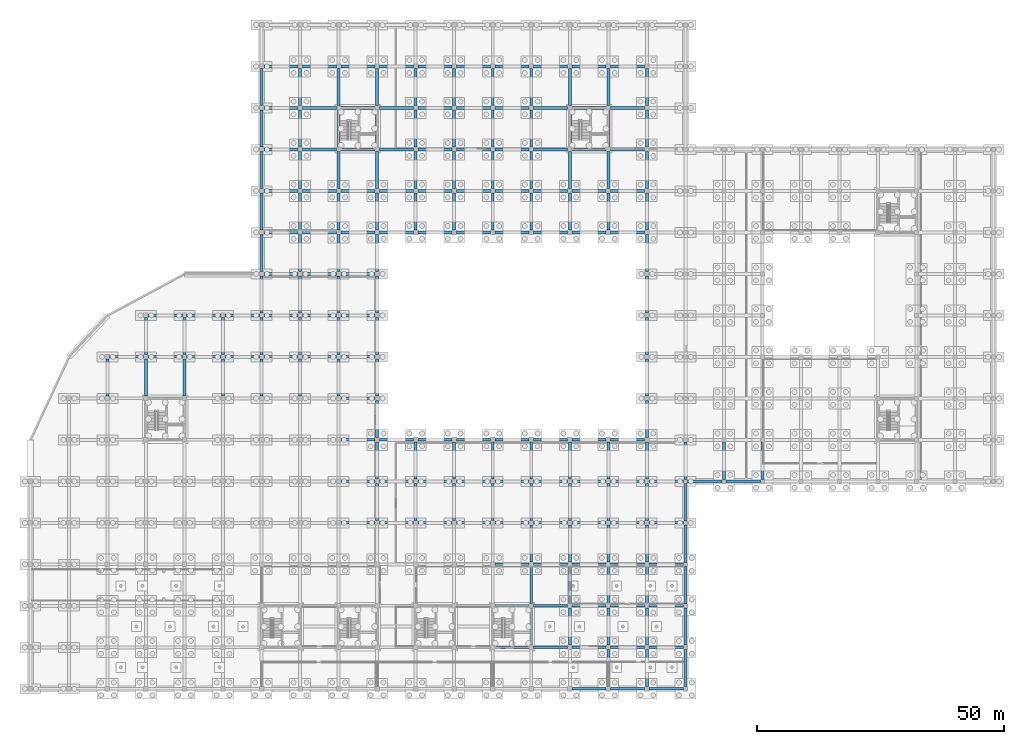
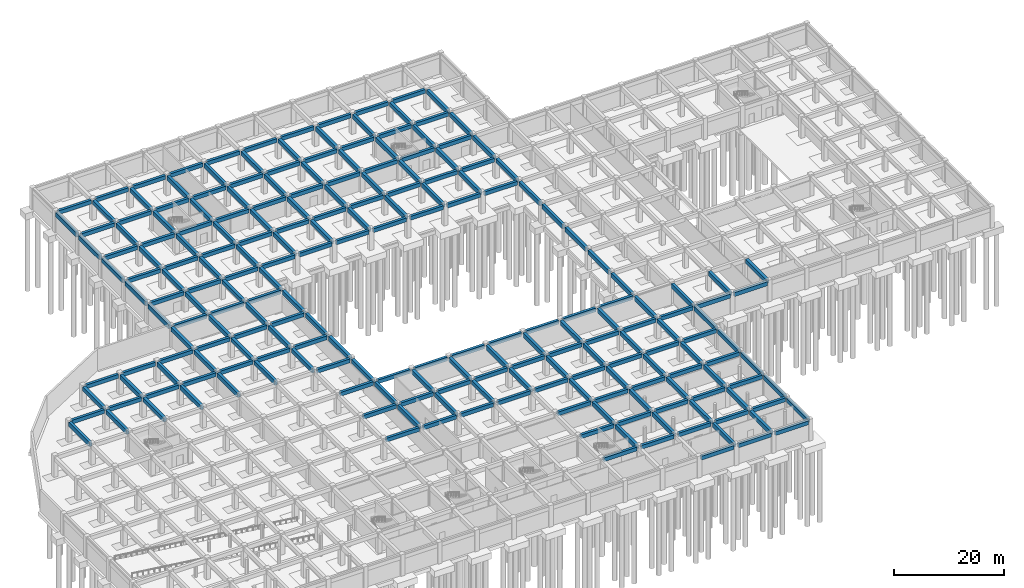
# One storey, part 14 of 31: 224 beams.
"""IFC4 building model written with IfcOpenShell, lengths in metres."""

from ifc_helpers import new_model, si_unit, direction, frame, origin, origin_2d, place, context, subcontext, project, spatial, rectangle, extrude, material, material_profile, profile_set, type_object, element, save


model = new_model("IFC4")

# Units and contexts
model_context = context("Model", 3, precision=1e-05, world=origin(), true_north=direction((0.0, 1.0)))
body_context = subcontext(model_context, "Body", "Model", "MODEL_VIEW")
ifc_project = project(units=[si_unit("LENGTHUNIT", "METRE"), si_unit("AREAUNIT", "SQUARE_METRE"), si_unit("VOLUMEUNIT", "CUBIC_METRE"), si_unit("PLANEANGLEUNIT", "RADIAN"), si_unit("MASSUNIT", "GRAM", prefix="KILO")], contexts=[model_context])

# Site, building, storey
site_placement = place(None, origin())
site = spatial("IfcSite", under=ifc_project, at=site_placement, CompositionType="ELEMENT")
building_placement = place(site_placement, origin())
building = spatial("IfcBuilding", under=site, at=building_placement, Name="Zizhar Promenade General Hospital", CompositionType="ELEMENT")
storey_placement = place(building_placement, frame((0.0, 0.0, -4.800048828125)))
storey = spatial("IfcBuildingStorey", under=building, at=storey_placement, Name="B1", CompositionType="ELEMENT", Elevation=-4.800048828125)

# Beams
ifc_material_1 = material(Name="Concrete C35/45", Category="concrete")
ifc_material_profile_1 = material_profile(ifc_material_1, rectangle(XDim=0.550048828125, YDim=0.85009765625, at=origin_2d()))
ifc_profile_set_1 = profile_set([ifc_material_profile_1], Name="Concrete C35/45")
beam_type_1 = type_object("IfcBeamType", Name="BM-RC-550x850", PredefinedType="BEAM", material=ifc_profile_set_1)
for number, where, z_axis, x_axis, name in (
    (1, (16.050048828125, 67.199951171875, 4.045166015625), (1.0, 0.0, 0.0), (0.0, 1.0, 0.0), "Grid Beam X B1 (2-8)"),
    (2, (23.85009765625, 67.199951171875, 4.045166015625), (1.0, 0.0, 0.0), (0.0, 1.0, 0.0), "Grid Beam X B1 (3-8)"),
    (3, (23.85009765625, 75.60009765625, 4.045166015625), (1.0, 0.0, 0.0), (0.0, 1.0, 0.0), "Grid Beam X B1 (3-9)"),
):
    element("IfcBeam", number, at=place(storey_placement, frame(where, z_axis=z_axis, x_axis=x_axis)), inside=storey, type_object=beam_type_1, Name=name, PredefinedType="BEAM", context=body_context, shape_type="SweptSolid", body=[
        extrude(rectangle(XDim=0.550048828125, YDim=0.85009765625, at=origin_2d()), origin(), (0.0, 0.0, 1.0), 6.89990234375),
    ])
for number, where, z_axis, x_axis, name in (
    (4, (31.64990234375, 67.199951171875, 4.045166015625), (1.0, 0.0, 0.0), (0.0, 1.0, 0.0), "Grid Beam X B1 (4-8)"),
    (5, (31.64990234375, 75.60009765625, 4.045166015625), (1.0, 0.0, 0.0), (0.0, 1.0, 0.0), "Grid Beam X B1 (4-9)"),
    (6, (39.449951171875, 67.199951171875, 4.045166015625), (1.0, 0.0, 0.0), (0.0, 1.0, 0.0), "Grid Beam X B1 (5-8)"),
    (7, (39.449951171875, 75.60009765625, 4.045166015625), (1.0, 0.0, 0.0), (0.0, 1.0, 0.0), "Grid Beam X B1 (5-9)"),
):
    element("IfcBeam", number, at=place(storey_placement, frame(where, z_axis=z_axis, x_axis=x_axis)), inside=storey, type_object=beam_type_1, Name=name, PredefinedType="BEAM", context=body_context, shape_type="SweptSolid", body=[
        extrude(rectangle(XDim=0.550048828125, YDim=0.85009765625, at=origin_2d()), origin(), (0.0, 0.0, 1.0), 6.900146484375),
    ])
for number, where, z_axis, x_axis, name in (
    (8, (47.25, 67.199951171875, 4.045166015625), (1.0, 0.0, 0.0), (0.0, 1.0, 0.0), "Grid Beam X B1 (6-8)"),
    (9, (47.25, 75.60009765625, 4.045166015625), (1.0, 0.0, 0.0), (0.0, 1.0, 0.0), "Grid Beam X B1 (6-9)"),
    (10, (47.25, 84.0, 4.045166015625), (1.0, 0.0, 0.0), (0.0, 1.0, 0.0), "Grid Beam X B1 (6-10)"),
    (11, (47.25, 92.39990234375, 4.045166015625), (1.0, 0.0, 0.0), (0.0, 1.0, 0.0), "Grid Beam X B1 (6-11)"),
    (12, (47.25, 100.800048828125, 4.045166015625), (1.0, 0.0, 0.0), (0.0, 1.0, 0.0), "Grid Beam X B1 (6-12)"),
    (13, (47.25, 109.199951171875, 4.045166015625), (1.0, 0.0, 0.0), (0.0, 1.0, 0.0), "Grid Beam X B1 (6-13)"),
    (14, (47.25, 117.60009765625, 4.045166015625), (1.0, 0.0, 0.0), (0.0, 1.0, 0.0), "Grid Beam X B1 (6-14)"),
    (15, (47.25, 126.0, 4.045166015625), (1.0, 0.0, 0.0), (0.0, 1.0, 0.0), "Grid Beam X B1 (6-15)"),
    (16, (55.050048828125, 67.199951171875, 4.045166015625), (1.0, 0.0, 0.0), (0.0, 1.0, 0.0), "Grid Beam X B1 (7-8)"),
    (17, (55.050048828125, 75.60009765625, 4.045166015625), (1.0, 0.0, 0.0), (0.0, 1.0, 0.0), "Grid Beam X B1 (7-9)"),
    (18, (55.050048828125, 84.0, 4.045166015625), (1.0, 0.0, 0.0), (0.0, 1.0, 0.0), "Grid Beam X B1 (7-10)"),
    (19, (55.050048828125, 92.39990234375, 4.045166015625), (1.0, 0.0, 0.0), (0.0, 1.0, 0.0), "Grid Beam X B1 (7-11)"),
    (20, (55.050048828125, 100.800048828125, 4.045166015625), (1.0, 0.0, 0.0), (0.0, 1.0, 0.0), "Grid Beam X B1 (7-12)"),
    (21, (55.050048828125, 109.199951171875, 4.045166015625), (1.0, 0.0, 0.0), (0.0, 1.0, 0.0), "Grid Beam X B1 (7-13)"),
    (22, (55.050048828125, 117.60009765625, 4.045166015625), (1.0, 0.0, 0.0), (0.0, 1.0, 0.0), "Grid Beam X B1 (7-14)"),
    (23, (55.050048828125, 126.0, 4.045166015625), (1.0, 0.0, 0.0), (0.0, 1.0, 0.0), "Grid Beam X B1 (7-15)"),
    (24, (62.85009765625, 33.60009765625, 4.045166015625), (1.0, 0.0, 0.0), (0.0, 1.0, 0.0), "Grid Beam X B1 (8-4)"),
    (25, (62.85009765625, 42.0, 4.045166015625), (1.0, 0.0, 0.0), (0.0, 1.0, 0.0), "Grid Beam X B1 (8-5)"),
    (26, (62.85009765625, 50.39990234375, 4.045166015625), (1.0, 0.0, 0.0), (0.0, 1.0, 0.0), "Grid Beam X B1 (8-6)"),
    (27, (62.85009765625, 58.800048828125, 4.045166015625), (1.0, 0.0, 0.0), (0.0, 1.0, 0.0), "Grid Beam X B1 (8-7)"),
    (28, (62.85009765625, 67.199951171875, 4.045166015625), (1.0, 0.0, 0.0), (0.0, 1.0, 0.0), "Grid Beam X B1 (8-8)"),
    (29, (62.85009765625, 75.60009765625, 4.045166015625), (1.0, 0.0, 0.0), (0.0, 1.0, 0.0), "Grid Beam X B1 (8-9)"),
    (30, (62.85009765625, 84.0, 4.045166015625), (1.0, 0.0, 0.0), (0.0, 1.0, 0.0), "Grid Beam X B1 (8-10)"),
    (31, (62.85009765625, 92.39990234375, 4.045166015625), (1.0, 0.0, 0.0), (0.0, 1.0, 0.0), "Grid Beam X B1 (8-11)"),
    (32, (62.85009765625, 100.800048828125, 4.045166015625), (1.0, 0.0, 0.0), (0.0, 1.0, 0.0), "Grid Beam X B1 (8-12)"),
    (33, (62.85009765625, 109.199951171875, 4.045166015625), (1.0, 0.0, 0.0), (0.0, 1.0, 0.0), "Grid Beam X B1 (8-13)"),
    (34, (62.85009765625, 117.60009765625, 4.045166015625), (1.0, 0.0, 0.0), (0.0, 1.0, 0.0), "Grid Beam X B1 (8-14)"),
    (35, (62.85009765625, 126.0, 4.045166015625), (1.0, 0.0, 0.0), (0.0, 1.0, 0.0), "Grid Beam X B1 (8-15)"),
):
    element("IfcBeam", number, at=place(storey_placement, frame(where, z_axis=z_axis, x_axis=x_axis)), inside=storey, type_object=beam_type_1, Name=name, PredefinedType="BEAM", context=body_context, shape_type="SweptSolid", body=[
        extrude(rectangle(XDim=0.550048828125, YDim=0.85009765625, at=origin_2d()), origin(), (0.0, 0.0, 1.0), 6.89990234375),
    ])
for number, where, z_axis, x_axis, name in (
    (36, (70.64990234375, 33.60009765625, 4.045166015625), (1.0, 0.0, 0.0), (0.0, 1.0, 0.0), "Grid Beam X B1 (9-4)"),
    (37, (70.64990234375, 42.0, 4.045166015625), (1.0, 0.0, 0.0), (0.0, 1.0, 0.0), "Grid Beam X B1 (9-5)"),
    (38, (70.64990234375, 50.39990234375, 4.045166015625), (1.0, 0.0, 0.0), (0.0, 1.0, 0.0), "Grid Beam X B1 (9-6)"),
    (39, (70.64990234375, 92.39990234375, 4.045166015625), (1.0, 0.0, 0.0), (0.0, 1.0, 0.0), "Grid Beam X B1 (9-11)"),
    (40, (70.64990234375, 100.800048828125, 4.045166015625), (1.0, 0.0, 0.0), (0.0, 1.0, 0.0), "Grid Beam X B1 (9-12)"),
    (41, (70.64990234375, 109.199951171875, 4.045166015625), (1.0, 0.0, 0.0), (0.0, 1.0, 0.0), "Grid Beam X B1 (9-13)"),
    (42, (70.64990234375, 117.60009765625, 4.045166015625), (1.0, 0.0, 0.0), (0.0, 1.0, 0.0), "Grid Beam X B1 (9-14)"),
    (43, (70.64990234375, 126.0, 4.045166015625), (1.0, 0.0, 0.0), (0.0, 1.0, 0.0), "Grid Beam X B1 (9-15)"),
    (44, (78.449951171875, 33.60009765625, 4.045166015625), (1.0, 0.0, 0.0), (0.0, 1.0, 0.0), "Grid Beam X B1 (10-4)"),
    (45, (78.449951171875, 42.0, 4.045166015625), (1.0, 0.0, 0.0), (0.0, 1.0, 0.0), "Grid Beam X B1 (10-5)"),
    (46, (78.449951171875, 50.39990234375, 4.045166015625), (1.0, 0.0, 0.0), (0.0, 1.0, 0.0), "Grid Beam X B1 (10-6)"),
    (47, (78.449951171875, 92.39990234375, 4.045166015625), (1.0, 0.0, 0.0), (0.0, 1.0, 0.0), "Grid Beam X B1 (10-11)"),
    (48, (78.449951171875, 100.800048828125, 4.045166015625), (1.0, 0.0, 0.0), (0.0, 1.0, 0.0), "Grid Beam X B1 (10-12)"),
    (49, (78.449951171875, 109.199951171875, 4.045166015625), (1.0, 0.0, 0.0), (0.0, 1.0, 0.0), "Grid Beam X B1 (10-13)"),
    (50, (78.449951171875, 117.60009765625, 4.045166015625), (1.0, 0.0, 0.0), (0.0, 1.0, 0.0), "Grid Beam X B1 (10-14)"),
    (51, (78.449951171875, 126.0, 4.045166015625), (1.0, 0.0, 0.0), (0.0, 1.0, 0.0), "Grid Beam X B1 (10-15)"),
):
    element("IfcBeam", number, at=place(storey_placement, frame(where, z_axis=z_axis, x_axis=x_axis)), inside=storey, type_object=beam_type_1, Name=name, PredefinedType="BEAM", context=body_context, shape_type="SweptSolid", body=[
        extrude(rectangle(XDim=0.550048828125, YDim=0.85009765625, at=origin_2d()), origin(), (0.0, 0.0, 1.0), 6.900146484375),
    ])
for number, where, z_axis, x_axis, name in (
    (52, (86.25, 33.60009765625, 4.045166015625), (1.0, 0.0, 0.0), (0.0, 1.0, 0.0), "Grid Beam X B1 (11-4)"),
    (53, (86.25, 42.0, 4.045166015625), (1.0, 0.0, 0.0), (0.0, 1.0, 0.0), "Grid Beam X B1 (11-5)"),
    (54, (86.25, 50.39990234375, 4.045166015625), (1.0, 0.0, 0.0), (0.0, 1.0, 0.0), "Grid Beam X B1 (11-6)"),
    (55, (86.25, 92.39990234375, 4.045166015625), (1.0, 0.0, 0.0), (0.0, 1.0, 0.0), "Grid Beam X B1 (11-11)"),
    (56, (86.25, 100.800048828125, 4.045166015625), (1.0, 0.0, 0.0), (0.0, 1.0, 0.0), "Grid Beam X B1 (11-12)"),
    (57, (86.25, 109.199951171875, 4.045166015625), (1.0, 0.0, 0.0), (0.0, 1.0, 0.0), "Grid Beam X B1 (11-13)"),
    (58, (86.25, 117.60009765625, 4.045166015625), (1.0, 0.0, 0.0), (0.0, 1.0, 0.0), "Grid Beam X B1 (11-14)"),
    (59, (86.25, 126.0, 4.045166015625), (1.0, 0.0, 0.0), (0.0, 1.0, 0.0), "Grid Beam X B1 (11-15)"),
    (60, (94.050048828125, 8.39990234375, 4.045166015625), (1.0, 0.0, 0.0), (0.0, 1.0, 0.0), "Grid Beam X B1 (12-1)"),
    (61, (94.050048828125, 16.800048828125, 4.045166015625), (1.0, 0.0, 0.0), (0.0, 1.0, 0.0), "Grid Beam X B1 (12-2)"),
    (62, (94.050048828125, 25.199951171875, 4.045166015625), (1.0, 0.0, 0.0), (0.0, 1.0, 0.0), "Grid Beam X B1 (12-3)"),
    (63, (94.050048828125, 33.60009765625, 4.045166015625), (1.0, 0.0, 0.0), (0.0, 1.0, 0.0), "Grid Beam X B1 (12-4)"),
    (64, (94.050048828125, 42.0, 4.045166015625), (1.0, 0.0, 0.0), (0.0, 1.0, 0.0), "Grid Beam X B1 (12-5)"),
    (65, (94.050048828125, 50.39990234375, 4.045166015625), (1.0, 0.0, 0.0), (0.0, 1.0, 0.0), "Grid Beam X B1 (12-6)"),
    (66, (94.050048828125, 92.39990234375, 4.045166015625), (1.0, 0.0, 0.0), (0.0, 1.0, 0.0), "Grid Beam X B1 (12-11)"),
    (67, (94.050048828125, 100.800048828125, 4.045166015625), (1.0, 0.0, 0.0), (0.0, 1.0, 0.0), "Grid Beam X B1 (12-12)"),
    (68, (94.050048828125, 109.199951171875, 4.045166015625), (1.0, 0.0, 0.0), (0.0, 1.0, 0.0), "Grid Beam X B1 (12-13)"),
    (69, (94.050048828125, 117.60009765625, 4.045166015625), (1.0, 0.0, 0.0), (0.0, 1.0, 0.0), "Grid Beam X B1 (12-14)"),
    (70, (94.050048828125, 126.0, 4.045166015625), (1.0, 0.0, 0.0), (0.0, 1.0, 0.0), "Grid Beam X B1 (12-15)"),
    (71, (101.85009765625, 8.39990234375, 4.045166015625), (1.0, 0.0, 0.0), (0.0, 1.0, 0.0), "Grid Beam X B1 (13-1)"),
    (72, (101.85009765625, 16.800048828125, 4.045166015625), (1.0, 0.0, 0.0), (0.0, 1.0, 0.0), "Grid Beam X B1 (13-2)"),
    (73, (101.85009765625, 25.199951171875, 4.045166015625), (1.0, 0.0, 0.0), (0.0, 1.0, 0.0), "Grid Beam X B1 (13-3)"),
    (74, (101.85009765625, 33.60009765625, 4.045166015625), (1.0, 0.0, 0.0), (0.0, 1.0, 0.0), "Grid Beam X B1 (13-4)"),
    (75, (101.85009765625, 42.0, 4.045166015625), (1.0, 0.0, 0.0), (0.0, 1.0, 0.0), "Grid Beam X B1 (13-5)"),
    (76, (101.85009765625, 50.39990234375, 4.045166015625), (1.0, 0.0, 0.0), (0.0, 1.0, 0.0), "Grid Beam X B1 (13-6)"),
    (77, (101.85009765625, 92.39990234375, 4.045166015625), (1.0, 0.0, 0.0), (0.0, 1.0, 0.0), "Grid Beam X B1 (13-11)"),
    (78, (101.85009765625, 100.800048828125, 4.045166015625), (1.0, 0.0, 0.0), (0.0, 1.0, 0.0), "Grid Beam X B1 (13-12)"),
    (79, (101.85009765625, 109.199951171875, 4.045166015625), (1.0, 0.0, 0.0), (0.0, 1.0, 0.0), "Grid Beam X B1 (13-13)"),
    (80, (101.85009765625, 117.60009765625, 4.045166015625), (1.0, 0.0, 0.0), (0.0, 1.0, 0.0), "Grid Beam X B1 (13-14)"),
    (81, (101.85009765625, 126.0, 4.045166015625), (1.0, 0.0, 0.0), (0.0, 1.0, 0.0), "Grid Beam X B1 (13-15)"),
):
    element("IfcBeam", number, at=place(storey_placement, frame(where, z_axis=z_axis, x_axis=x_axis)), inside=storey, type_object=beam_type_1, Name=name, PredefinedType="BEAM", context=body_context, shape_type="SweptSolid", body=[
        extrude(rectangle(XDim=0.550048828125, YDim=0.85009765625, at=origin_2d()), origin(), (0.0, 0.0, 1.0), 6.89990234375),
    ])
for number, where, z_axis, x_axis, name in (
    (82, (109.64990234375, 0.0, 4.045166015625), (1.0, 0.0, 0.0), (0.0, 1.0, 0.0), "Grid Beam X B1 (14-0)"),
    (83, (109.64990234375, 8.39990234375, 4.045166015625), (1.0, 0.0, 0.0), (0.0, 1.0, 0.0), "Grid Beam X B1 (14-1)"),
    (84, (109.64990234375, 16.800048828125, 4.045166015625), (1.0, 0.0, 0.0), (0.0, 1.0, 0.0), "Grid Beam X B1 (14-2)"),
    (85, (109.64990234375, 25.199951171875, 4.045166015625), (1.0, 0.0, 0.0), (0.0, 1.0, 0.0), "Grid Beam X B1 (14-3)"),
    (86, (109.64990234375, 33.60009765625, 4.045166015625), (1.0, 0.0, 0.0), (0.0, 1.0, 0.0), "Grid Beam X B1 (14-4)"),
    (87, (109.64990234375, 42.0, 4.045166015625), (1.0, 0.0, 0.0), (0.0, 1.0, 0.0), "Grid Beam X B1 (14-5)"),
    (88, (109.64990234375, 50.39990234375, 4.045166015625), (1.0, 0.0, 0.0), (0.0, 1.0, 0.0), "Grid Beam X B1 (14-6)"),
    (89, (109.64990234375, 92.39990234375, 4.045166015625), (1.0, 0.0, 0.0), (0.0, 1.0, 0.0), "Grid Beam X B1 (14-11)"),
    (90, (109.64990234375, 100.800048828125, 4.045166015625), (1.0, 0.0, 0.0), (0.0, 1.0, 0.0), "Grid Beam X B1 (14-12)"),
    (91, (109.64990234375, 109.199951171875, 4.045166015625), (1.0, 0.0, 0.0), (0.0, 1.0, 0.0), "Grid Beam X B1 (14-13)"),
    (92, (109.64990234375, 117.60009765625, 4.045166015625), (1.0, 0.0, 0.0), (0.0, 1.0, 0.0), "Grid Beam X B1 (14-14)"),
    (93, (109.64990234375, 126.0, 4.045166015625), (1.0, 0.0, 0.0), (0.0, 1.0, 0.0), "Grid Beam X B1 (14-15)"),
    (94, (117.449951171875, 0.0, 4.045166015625), (1.0, 0.0, 0.0), (0.0, 1.0, 0.0), "Grid Beam X B1 (15-0)"),
    (95, (117.449951171875, 8.39990234375, 4.045166015625), (1.0, 0.0, 0.0), (0.0, 1.0, 0.0), "Grid Beam X B1 (15-1)"),
    (96, (117.449951171875, 16.800048828125, 4.045166015625), (1.0, 0.0, 0.0), (0.0, 1.0, 0.0), "Grid Beam X B1 (15-2)"),
    (97, (117.449951171875, 25.199951171875, 4.045166015625), (1.0, 0.0, 0.0), (0.0, 1.0, 0.0), "Grid Beam X B1 (15-3)"),
    (98, (117.449951171875, 33.60009765625, 4.045166015625), (1.0, 0.0, 0.0), (0.0, 1.0, 0.0), "Grid Beam X B1 (15-4)"),
    (99, (117.449951171875, 42.0, 4.045166015625), (1.0, 0.0, 0.0), (0.0, 1.0, 0.0), "Grid Beam X B1 (15-5)"),
    (100, (117.449951171875, 50.39990234375, 4.045166015625), (1.0, 0.0, 0.0), (0.0, 1.0, 0.0), "Grid Beam X B1 (15-6)"),
    (101, (117.449951171875, 92.39990234375, 4.045166015625), (1.0, 0.0, 0.0), (0.0, 1.0, 0.0), "Grid Beam X B1 (15-11)"),
    (102, (117.449951171875, 100.800048828125, 4.045166015625), (1.0, 0.0, 0.0), (0.0, 1.0, 0.0), "Grid Beam X B1 (15-12)"),
    (103, (117.449951171875, 109.199951171875, 4.045166015625), (1.0, 0.0, 0.0), (0.0, 1.0, 0.0), "Grid Beam X B1 (15-13)"),
    (104, (117.449951171875, 117.60009765625, 4.045166015625), (1.0, 0.0, 0.0), (0.0, 1.0, 0.0), "Grid Beam X B1 (15-14)"),
    (105, (117.449951171875, 126.0, 4.045166015625), (1.0, 0.0, 0.0), (0.0, 1.0, 0.0), "Grid Beam X B1 (15-15)"),
):
    element("IfcBeam", number, at=place(storey_placement, frame(where, z_axis=z_axis, x_axis=x_axis)), inside=storey, type_object=beam_type_1, Name=name, PredefinedType="BEAM", context=body_context, shape_type="SweptSolid", body=[
        extrude(rectangle(XDim=0.550048828125, YDim=0.85009765625, at=origin_2d()), origin(), (0.0, 0.0, 1.0), 6.900146484375),
    ])
for number, where, z_axis, x_axis, name in (
    (106, (125.25, 0.0, 4.045166015625), (1.0, 0.0, 0.0), (0.0, 1.0, 0.0), "Grid Beam X B1 (16-0)"),
    (107, (125.25, 8.39990234375, 4.045166015625), (1.0, 0.0, 0.0), (0.0, 1.0, 0.0), "Grid Beam X B1 (16-1)"),
    (108, (125.25, 16.800048828125, 4.045166015625), (1.0, 0.0, 0.0), (0.0, 1.0, 0.0), "Grid Beam X B1 (16-2)"),
    (109, (125.25, 25.199951171875, 4.045166015625), (1.0, 0.0, 0.0), (0.0, 1.0, 0.0), "Grid Beam X B1 (16-3)"),
    (110, (125.25, 33.60009765625, 4.045166015625), (1.0, 0.0, 0.0), (0.0, 1.0, 0.0), "Grid Beam X B1 (16-4)"),
    (111, (125.25, 42.0, 4.045166015625), (1.0, 0.0, 0.0), (0.0, 1.0, 0.0), "Grid Beam X B1 (16-5)"),
):
    element("IfcBeam", number, at=place(storey_placement, frame(where, z_axis=z_axis, x_axis=x_axis)), inside=storey, type_object=beam_type_1, Name=name, PredefinedType="BEAM", context=body_context, shape_type="SweptSolid", body=[
        extrude(rectangle(XDim=0.550048828125, YDim=0.85009765625, at=origin_2d()), origin(), (0.0, 0.0, 1.0), 6.925048828125),
    ])
ifc_material_2 = material(Name="Concrete C35/45", Category="concrete")
ifc_material_profile_2 = material_profile(ifc_material_2, rectangle(XDim=0.580078125, YDim=0.89990234375, at=origin_2d()))
ifc_profile_set_2 = profile_set([ifc_material_profile_2], Name="Concrete C35/45")
beam_type_2 = type_object("IfcBeamType", Name="BM-RC-580x900", PredefinedType="BEAM", material=ifc_profile_set_2)
beam_1_placement = place(storey_placement, frame((133.02490234375, 42.0, 4.02001953125), z_axis=(1.0, 0.0, 0.0), x_axis=(0.0, 1.0, 0.0)))
element("IfcBeam", 112, at=beam_1_placement, inside=storey, type_object=beam_type_2, Name="Grid Beam X B1 (17-5)", PredefinedType="BEAM", context=body_context, shape_type="SweptSolid", body=[
    extrude(rectangle(XDim=0.580078125, YDim=0.89990234375, at=origin_2d()), origin(), (0.0, 0.0, 1.0), 6.9501953125),
])
beam_2_placement = place(storey_placement, frame((140.824951171875, 42.0, 4.02001953125), z_axis=(1.0, 0.0, 0.0), x_axis=(0.0, 1.0, 0.0)))
element("IfcBeam", 113, at=beam_2_placement, inside=storey, type_object=beam_type_2, Name="Grid Beam X B1 (18-5)", PredefinedType="BEAM", context=body_context, shape_type="SweptSolid", body=[
    extrude(rectangle(XDim=0.580078125, YDim=0.89990234375, at=origin_2d()), origin(), (0.0, 0.0, 1.0), 6.949951171875),
])
ifc_material_3 = material(Name="Concrete C35/45", Category="concrete")
ifc_material_profile_3 = material_profile(ifc_material_3, rectangle(XDim=0.60009765625, YDim=0.949951171875, at=origin_2d()))
ifc_profile_set_3 = profile_set([ifc_material_profile_3], Name="Concrete C35/45")
beam_type_3 = type_object("IfcBeamType", Name="BM-RC-600x950", PredefinedType="BEAM", material=ifc_profile_set_3)
for number, where, z_axis, x_axis, name in (
    (114, (15.60009765625, 59.25, 3.9951171875), (0.0, 1.0, 0.0), (-1.0, 0.0, 0.0), "Grid Beam Y B1 (2-7)"),
    (115, (23.39990234375, 59.25, 3.9951171875), (0.0, 1.0, 0.0), (-1.0, 0.0, 0.0), "Grid Beam Y B1 (3-7)"),
    (116, (23.39990234375, 67.64990234375, 3.9951171875), (0.0, 1.0, 0.0), (-1.0, 0.0, 0.0), "Grid Beam Y B1 (3-8)"),
    (117, (31.199951171875, 59.25, 3.9951171875), (0.0, 1.0, 0.0), (-1.0, 0.0, 0.0), "Grid Beam Y B1 (4-7)"),
    (118, (31.199951171875, 67.64990234375, 3.9951171875), (0.0, 1.0, 0.0), (-1.0, 0.0, 0.0), "Grid Beam Y B1 (4-8)"),
    (119, (39.0, 59.25, 3.9951171875), (0.0, 1.0, 0.0), (-1.0, 0.0, 0.0), "Grid Beam Y B1 (5-7)"),
    (120, (39.0, 67.64990234375, 3.9951171875), (0.0, 1.0, 0.0), (-1.0, 0.0, 0.0), "Grid Beam Y B1 (5-8)"),
    (121, (46.800048828125, 59.25, 3.9951171875), (0.0, 1.0, 0.0), (-1.0, 0.0, 0.0), "Grid Beam Y B1 (6-7)"),
    (122, (46.800048828125, 67.64990234375, 3.9951171875), (0.0, 1.0, 0.0), (-1.0, 0.0, 0.0), "Grid Beam Y B1 (6-8)"),
    (123, (46.800048828125, 76.050048828125, 3.9951171875), (0.0, 1.0, 0.0), (-1.0, 0.0, 0.0), "Grid Beam Y B1 (6-9)"),
    (124, (46.800048828125, 84.449951171875, 3.9951171875), (0.0, 1.0, 0.0), (-1.0, 0.0, 0.0), "Grid Beam Y B1 (6-10)"),
    (125, (46.800048828125, 92.85009765625, 3.9951171875), (0.0, 1.0, 0.0), (-1.0, 0.0, 0.0), "Grid Beam Y B1 (6-11)"),
    (126, (46.800048828125, 101.25, 3.9951171875), (0.0, 1.0, 0.0), (-1.0, 0.0, 0.0), "Grid Beam Y B1 (6-12)"),
    (127, (46.800048828125, 109.64990234375, 3.9951171875), (0.0, 1.0, 0.0), (-1.0, 0.0, 0.0), "Grid Beam Y B1 (6-13)"),
    (128, (46.800048828125, 118.050048828125, 3.9951171875), (0.0, 1.0, 0.0), (-1.0, 0.0, 0.0), "Grid Beam Y B1 (6-14)"),
    (129, (54.60009765625, 59.25, 3.9951171875), (0.0, 1.0, 0.0), (-1.0, 0.0, 0.0), "Grid Beam Y B1 (7-7)"),
    (130, (54.60009765625, 67.64990234375, 3.9951171875), (0.0, 1.0, 0.0), (-1.0, 0.0, 0.0), "Grid Beam Y B1 (7-8)"),
    (131, (54.60009765625, 76.050048828125, 3.9951171875), (0.0, 1.0, 0.0), (-1.0, 0.0, 0.0), "Grid Beam Y B1 (7-9)"),
    (132, (54.60009765625, 84.449951171875, 3.9951171875), (0.0, 1.0, 0.0), (-1.0, 0.0, 0.0), "Grid Beam Y B1 (7-10)"),
    (133, (54.60009765625, 92.85009765625, 3.9951171875), (0.0, 1.0, 0.0), (-1.0, 0.0, 0.0), "Grid Beam Y B1 (7-11)"),
    (134, (54.60009765625, 101.25, 3.9951171875), (0.0, 1.0, 0.0), (-1.0, 0.0, 0.0), "Grid Beam Y B1 (7-12)"),
    (135, (54.60009765625, 109.64990234375, 3.9951171875), (0.0, 1.0, 0.0), (-1.0, 0.0, 0.0), "Grid Beam Y B1 (7-13)"),
    (136, (54.60009765625, 118.050048828125, 3.9951171875), (0.0, 1.0, 0.0), (-1.0, 0.0, 0.0), "Grid Beam Y B1 (7-14)"),
    (137, (62.39990234375, 59.25, 3.9951171875), (0.0, 1.0, 0.0), (-1.0, 0.0, 0.0), "Grid Beam Y B1 (8-7)"),
    (138, (62.39990234375, 67.64990234375, 3.9951171875), (0.0, 1.0, 0.0), (-1.0, 0.0, 0.0), "Grid Beam Y B1 (8-8)"),
    (139, (62.39990234375, 76.050048828125, 3.9951171875), (0.0, 1.0, 0.0), (-1.0, 0.0, 0.0), "Grid Beam Y B1 (8-9)"),
    (140, (62.39990234375, 84.449951171875, 3.9951171875), (0.0, 1.0, 0.0), (-1.0, 0.0, 0.0), "Grid Beam Y B1 (8-10)"),
    (141, (62.39990234375, 92.85009765625, 3.9951171875), (0.0, 1.0, 0.0), (-1.0, 0.0, 0.0), "Grid Beam Y B1 (8-11)"),
    (142, (62.39990234375, 101.25, 3.9951171875), (0.0, 1.0, 0.0), (-1.0, 0.0, 0.0), "Grid Beam Y B1 (8-12)"),
    (143, (62.39990234375, 109.64990234375, 3.9951171875), (0.0, 1.0, 0.0), (-1.0, 0.0, 0.0), "Grid Beam Y B1 (8-13)"),
    (144, (62.39990234375, 118.050048828125, 3.9951171875), (0.0, 1.0, 0.0), (-1.0, 0.0, 0.0), "Grid Beam Y B1 (8-14)"),
    (145, (70.199951171875, 34.050048828125, 3.9951171875), (0.0, 1.0, 0.0), (-1.0, 0.0, 0.0), "Grid Beam Y B1 (9-4)"),
    (146, (70.199951171875, 42.449951171875, 3.9951171875), (0.0, 1.0, 0.0), (-1.0, 0.0, 0.0), "Grid Beam Y B1 (9-5)"),
    (147, (70.199951171875, 50.85009765625, 3.9951171875), (0.0, 1.0, 0.0), (-1.0, 0.0, 0.0), "Grid Beam Y B1 (9-6)"),
    (148, (70.199951171875, 59.25, 3.9951171875), (0.0, 1.0, 0.0), (-1.0, 0.0, 0.0), "Grid Beam Y B1 (9-7)"),
    (149, (70.199951171875, 67.64990234375, 3.9951171875), (0.0, 1.0, 0.0), (-1.0, 0.0, 0.0), "Grid Beam Y B1 (9-8)"),
    (150, (70.199951171875, 76.050048828125, 3.9951171875), (0.0, 1.0, 0.0), (-1.0, 0.0, 0.0), "Grid Beam Y B1 (9-9)"),
    (151, (70.199951171875, 84.449951171875, 3.9951171875), (0.0, 1.0, 0.0), (-1.0, 0.0, 0.0), "Grid Beam Y B1 (9-10)"),
    (152, (70.199951171875, 92.85009765625, 3.9951171875), (0.0, 1.0, 0.0), (-1.0, 0.0, 0.0), "Grid Beam Y B1 (9-11)"),
    (153, (70.199951171875, 101.25, 3.9951171875), (0.0, 1.0, 0.0), (-1.0, 0.0, 0.0), "Grid Beam Y B1 (9-12)"),
    (154, (70.199951171875, 109.64990234375, 3.9951171875), (0.0, 1.0, 0.0), (-1.0, 0.0, 0.0), "Grid Beam Y B1 (9-13)"),
    (155, (70.199951171875, 118.050048828125, 3.9951171875), (0.0, 1.0, 0.0), (-1.0, 0.0, 0.0), "Grid Beam Y B1 (9-14)"),
    (156, (78.0, 34.050048828125, 3.9951171875), (0.0, 1.0, 0.0), (-1.0, 0.0, 0.0), "Grid Beam Y B1 (10-4)"),
    (157, (78.0, 42.449951171875, 3.9951171875), (0.0, 1.0, 0.0), (-1.0, 0.0, 0.0), "Grid Beam Y B1 (10-5)"),
    (158, (78.0, 92.85009765625, 3.9951171875), (0.0, 1.0, 0.0), (-1.0, 0.0, 0.0), "Grid Beam Y B1 (10-11)"),
    (159, (78.0, 101.25, 3.9951171875), (0.0, 1.0, 0.0), (-1.0, 0.0, 0.0), "Grid Beam Y B1 (10-12)"),
    (160, (78.0, 109.64990234375, 3.9951171875), (0.0, 1.0, 0.0), (-1.0, 0.0, 0.0), "Grid Beam Y B1 (10-13)"),
    (161, (78.0, 118.050048828125, 3.9951171875), (0.0, 1.0, 0.0), (-1.0, 0.0, 0.0), "Grid Beam Y B1 (10-14)"),
    (162, (85.800048828125, 34.050048828125, 3.9951171875), (0.0, 1.0, 0.0), (-1.0, 0.0, 0.0), "Grid Beam Y B1 (11-4)"),
    (163, (85.800048828125, 42.449951171875, 3.9951171875), (0.0, 1.0, 0.0), (-1.0, 0.0, 0.0), "Grid Beam Y B1 (11-5)"),
    (164, (85.800048828125, 92.85009765625, 3.9951171875), (0.0, 1.0, 0.0), (-1.0, 0.0, 0.0), "Grid Beam Y B1 (11-11)"),
    (165, (85.800048828125, 101.25, 3.9951171875), (0.0, 1.0, 0.0), (-1.0, 0.0, 0.0), "Grid Beam Y B1 (11-12)"),
    (166, (85.800048828125, 109.64990234375, 3.9951171875), (0.0, 1.0, 0.0), (-1.0, 0.0, 0.0), "Grid Beam Y B1 (11-13)"),
    (167, (85.800048828125, 118.050048828125, 3.9951171875), (0.0, 1.0, 0.0), (-1.0, 0.0, 0.0), "Grid Beam Y B1 (11-14)"),
    (168, (93.60009765625, 34.050048828125, 3.9951171875), (0.0, 1.0, 0.0), (-1.0, 0.0, 0.0), "Grid Beam Y B1 (12-4)"),
    (169, (93.60009765625, 42.449951171875, 3.9951171875), (0.0, 1.0, 0.0), (-1.0, 0.0, 0.0), "Grid Beam Y B1 (12-5)"),
    (170, (93.60009765625, 92.85009765625, 3.9951171875), (0.0, 1.0, 0.0), (-1.0, 0.0, 0.0), "Grid Beam Y B1 (12-11)"),
    (171, (93.60009765625, 101.25, 3.9951171875), (0.0, 1.0, 0.0), (-1.0, 0.0, 0.0), "Grid Beam Y B1 (12-12)"),
    (172, (93.60009765625, 109.64990234375, 3.9951171875), (0.0, 1.0, 0.0), (-1.0, 0.0, 0.0), "Grid Beam Y B1 (12-13)"),
    (173, (93.60009765625, 118.050048828125, 3.9951171875), (0.0, 1.0, 0.0), (-1.0, 0.0, 0.0), "Grid Beam Y B1 (12-14)"),
    (174, (101.39990234375, 8.85009765625, 3.9951171875), (0.0, 1.0, 0.0), (-1.0, 0.0, 0.0), "Grid Beam Y B1 (13-1)"),
    (175, (101.39990234375, 17.25, 3.9951171875), (0.0, 1.0, 0.0), (-1.0, 0.0, 0.0), "Grid Beam Y B1 (13-2)"),
    (176, (101.39990234375, 25.64990234375, 3.9951171875), (0.0, 1.0, 0.0), (-1.0, 0.0, 0.0), "Grid Beam Y B1 (13-3)"),
    (177, (101.39990234375, 34.050048828125, 3.9951171875), (0.0, 1.0, 0.0), (-1.0, 0.0, 0.0), "Grid Beam Y B1 (13-4)"),
    (178, (101.39990234375, 42.449951171875, 3.9951171875), (0.0, 1.0, 0.0), (-1.0, 0.0, 0.0), "Grid Beam Y B1 (13-5)"),
    (179, (101.39990234375, 92.85009765625, 3.9951171875), (0.0, 1.0, 0.0), (-1.0, 0.0, 0.0), "Grid Beam Y B1 (13-11)"),
    (180, (101.39990234375, 101.25, 3.9951171875), (0.0, 1.0, 0.0), (-1.0, 0.0, 0.0), "Grid Beam Y B1 (13-12)"),
    (181, (101.39990234375, 109.64990234375, 3.9951171875), (0.0, 1.0, 0.0), (-1.0, 0.0, 0.0), "Grid Beam Y B1 (13-13)"),
    (182, (101.39990234375, 118.050048828125, 3.9951171875), (0.0, 1.0, 0.0), (-1.0, 0.0, 0.0), "Grid Beam Y B1 (13-14)"),
    (183, (109.199951171875, 8.85009765625, 3.9951171875), (0.0, 1.0, 0.0), (-1.0, 0.0, 0.0), "Grid Beam Y B1 (14-1)"),
    (184, (109.199951171875, 17.25, 3.9951171875), (0.0, 1.0, 0.0), (-1.0, 0.0, 0.0), "Grid Beam Y B1 (14-2)"),
    (185, (109.199951171875, 25.64990234375, 3.9951171875), (0.0, 1.0, 0.0), (-1.0, 0.0, 0.0), "Grid Beam Y B1 (14-3)"),
    (186, (109.199951171875, 34.050048828125, 3.9951171875), (0.0, 1.0, 0.0), (-1.0, 0.0, 0.0), "Grid Beam Y B1 (14-4)"),
    (187, (109.199951171875, 42.449951171875, 3.9951171875), (0.0, 1.0, 0.0), (-1.0, 0.0, 0.0), "Grid Beam Y B1 (14-5)"),
    (188, (109.199951171875, 92.85009765625, 3.9951171875), (0.0, 1.0, 0.0), (-1.0, 0.0, 0.0), "Grid Beam Y B1 (14-11)"),
    (189, (109.199951171875, 101.25, 3.9951171875), (0.0, 1.0, 0.0), (-1.0, 0.0, 0.0), "Grid Beam Y B1 (14-12)"),
    (190, (109.199951171875, 109.64990234375, 3.9951171875), (0.0, 1.0, 0.0), (-1.0, 0.0, 0.0), "Grid Beam Y B1 (14-13)"),
    (191, (109.199951171875, 118.050048828125, 3.9951171875), (0.0, 1.0, 0.0), (-1.0, 0.0, 0.0), "Grid Beam Y B1 (14-14)"),
    (192, (117.0, 0.449951171875, 3.9951171875), (0.0, 1.0, 0.0), (-1.0, 0.0, 0.0), "Grid Beam Y B1 (15-0)"),
    (193, (117.0, 8.85009765625, 3.9951171875), (0.0, 1.0, 0.0), (-1.0, 0.0, 0.0), "Grid Beam Y B1 (15-1)"),
    (194, (117.0, 17.25, 3.9951171875), (0.0, 1.0, 0.0), (-1.0, 0.0, 0.0), "Grid Beam Y B1 (15-2)"),
    (195, (117.0, 25.64990234375, 3.9951171875), (0.0, 1.0, 0.0), (-1.0, 0.0, 0.0), "Grid Beam Y B1 (15-3)"),
    (196, (117.0, 34.050048828125, 3.9951171875), (0.0, 1.0, 0.0), (-1.0, 0.0, 0.0), "Grid Beam Y B1 (15-4)"),
    (197, (117.0, 42.449951171875, 3.9951171875), (0.0, 1.0, 0.0), (-1.0, 0.0, 0.0), "Grid Beam Y B1 (15-5)"),
    (198, (117.0, 92.85009765625, 3.9951171875), (0.0, 1.0, 0.0), (-1.0, 0.0, 0.0), "Grid Beam Y B1 (15-11)"),
    (199, (117.0, 101.25, 3.9951171875), (0.0, 1.0, 0.0), (-1.0, 0.0, 0.0), "Grid Beam Y B1 (15-12)"),
    (200, (117.0, 109.64990234375, 3.9951171875), (0.0, 1.0, 0.0), (-1.0, 0.0, 0.0), "Grid Beam Y B1 (15-13)"),
    (201, (117.0, 118.050048828125, 3.9951171875), (0.0, 1.0, 0.0), (-1.0, 0.0, 0.0), "Grid Beam Y B1 (15-14)"),
    (202, (124.800048828125, 0.449951171875, 3.9951171875), (0.0, 1.0, 0.0), (-1.0, 0.0, 0.0), "Grid Beam Y B1 (16-0)"),
    (203, (124.800048828125, 8.85009765625, 3.9951171875), (0.0, 1.0, 0.0), (-1.0, 0.0, 0.0), "Grid Beam Y B1 (16-1)"),
    (204, (124.800048828125, 17.25, 3.9951171875), (0.0, 1.0, 0.0), (-1.0, 0.0, 0.0), "Grid Beam Y B1 (16-2)"),
    (205, (124.800048828125, 25.64990234375, 3.9951171875), (0.0, 1.0, 0.0), (-1.0, 0.0, 0.0), "Grid Beam Y B1 (16-3)"),
    (206, (124.800048828125, 34.050048828125, 3.9951171875), (0.0, 1.0, 0.0), (-1.0, 0.0, 0.0), "Grid Beam Y B1 (16-4)"),
    (207, (124.800048828125, 42.449951171875, 3.9951171875), (0.0, 1.0, 0.0), (-1.0, 0.0, 0.0), "Grid Beam Y B1 (16-5)"),
    (208, (124.800048828125, 50.85009765625, 3.9951171875), (0.0, 1.0, 0.0), (-1.0, 0.0, 0.0), "Grid Beam Y B1 (16-6)"),
    (209, (124.800048828125, 59.25, 3.9951171875), (0.0, 1.0, 0.0), (-1.0, 0.0, 0.0), "Grid Beam Y B1 (16-7)"),
    (210, (124.800048828125, 67.64990234375, 3.9951171875), (0.0, 1.0, 0.0), (-1.0, 0.0, 0.0), "Grid Beam Y B1 (16-8)"),
    (211, (124.800048828125, 76.050048828125, 3.9951171875), (0.0, 1.0, 0.0), (-1.0, 0.0, 0.0), "Grid Beam Y B1 (16-9)"),
    (212, (124.800048828125, 84.449951171875, 3.9951171875), (0.0, 1.0, 0.0), (-1.0, 0.0, 0.0), "Grid Beam Y B1 (16-10)"),
    (213, (124.800048828125, 92.85009765625, 3.9951171875), (0.0, 1.0, 0.0), (-1.0, 0.0, 0.0), "Grid Beam Y B1 (16-11)"),
    (214, (124.800048828125, 101.25, 3.9951171875), (0.0, 1.0, 0.0), (-1.0, 0.0, 0.0), "Grid Beam Y B1 (16-12)"),
    (215, (124.800048828125, 109.64990234375, 3.9951171875), (0.0, 1.0, 0.0), (-1.0, 0.0, 0.0), "Grid Beam Y B1 (16-13)"),
    (216, (124.800048828125, 118.050048828125, 3.9951171875), (0.0, 1.0, 0.0), (-1.0, 0.0, 0.0), "Grid Beam Y B1 (16-14)"),
):
    element("IfcBeam", number, at=place(storey_placement, frame(where, z_axis=z_axis, x_axis=x_axis)), inside=storey, type_object=beam_type_3, Name=name, PredefinedType="BEAM", context=body_context, shape_type="SweptSolid", body=[
        extrude(rectangle(XDim=0.60009765625, YDim=0.949951171875, at=origin_2d()), origin(), (0.0, 0.0, 1.0), 7.5),
    ])
for number, where, z_axis, x_axis, name in (
    (217, (132.60009765625, 0.425048828125, 3.9951171875), (0.0, 1.0, 0.0), (-1.0, 0.0, 0.0), "Grid Beam Y B1 (17-0)"),
    (218, (132.60009765625, 8.824951171875, 3.9951171875), (0.0, 1.0, 0.0), (-1.0, 0.0, 0.0), "Grid Beam Y B1 (17-1)"),
):
    element("IfcBeam", number, at=place(storey_placement, frame(where, z_axis=z_axis, x_axis=x_axis)), inside=storey, type_object=beam_type_3, Name=name, PredefinedType="BEAM", context=body_context, shape_type="SweptSolid", body=[
        extrude(rectangle(XDim=0.60009765625, YDim=0.949951171875, at=origin_2d()), origin(), (0.0, 0.0, 1.0), 7.550048828125),
    ])
beam_3_placement = place(storey_placement, frame((132.60009765625, 17.22509765625, 3.9951171875), z_axis=(0.0, 1.0, 0.0), x_axis=(-1.0, 0.0, 0.0)))
element("IfcBeam", 219, at=beam_3_placement, inside=storey, type_object=beam_type_3, Name="Grid Beam Y B1 (17-2)", PredefinedType="BEAM", context=body_context, shape_type="SweptSolid", body=[
    extrude(rectangle(XDim=0.60009765625, YDim=0.949951171875, at=origin_2d()), origin(), (0.0, 0.0, 1.0), 7.5498046875),
])
for number, where, z_axis, x_axis, name in (
    (220, (132.60009765625, 25.625, 3.9951171875), (0.0, 1.0, 0.0), (-1.0, 0.0, 0.0), "Grid Beam Y B1 (17-3)"),
    (221, (132.60009765625, 34.02490234375, 3.9951171875), (0.0, 1.0, 0.0), (-1.0, 0.0, 0.0), "Grid Beam Y B1 (17-4)"),
    (222, (132.60009765625, 42.425048828125, 3.9951171875), (0.0, 1.0, 0.0), (-1.0, 0.0, 0.0), "Grid Beam Y B1 (17-5)"),
    (223, (140.39990234375, 42.425048828125, 3.9951171875), (0.0, 1.0, 0.0), (-1.0, 0.0, 0.0), "Grid Beam Y B1 (18-5)"),
    (224, (148.199951171875, 42.425048828125, 3.9951171875), (0.0, 1.0, 0.0), (-1.0, 0.0, 0.0), "Grid Beam Y B1 (19-5)"),
):
    element("IfcBeam", number, at=place(storey_placement, frame(where, z_axis=z_axis, x_axis=x_axis)), inside=storey, type_object=beam_type_3, Name=name, PredefinedType="BEAM", context=body_context, shape_type="SweptSolid", body=[
        extrude(rectangle(XDim=0.60009765625, YDim=0.949951171875, at=origin_2d()), origin(), (0.0, 0.0, 1.0), 7.550048828125),
    ])

save(model, "model.ifc")
